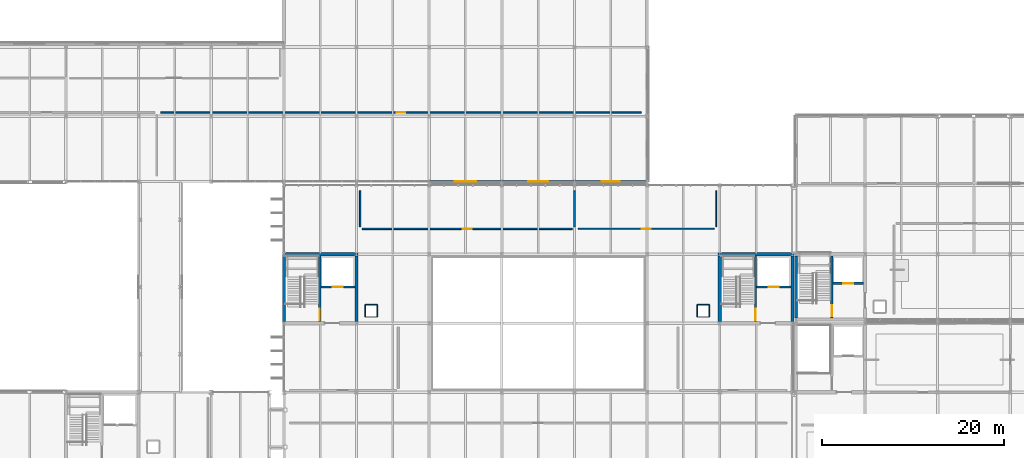
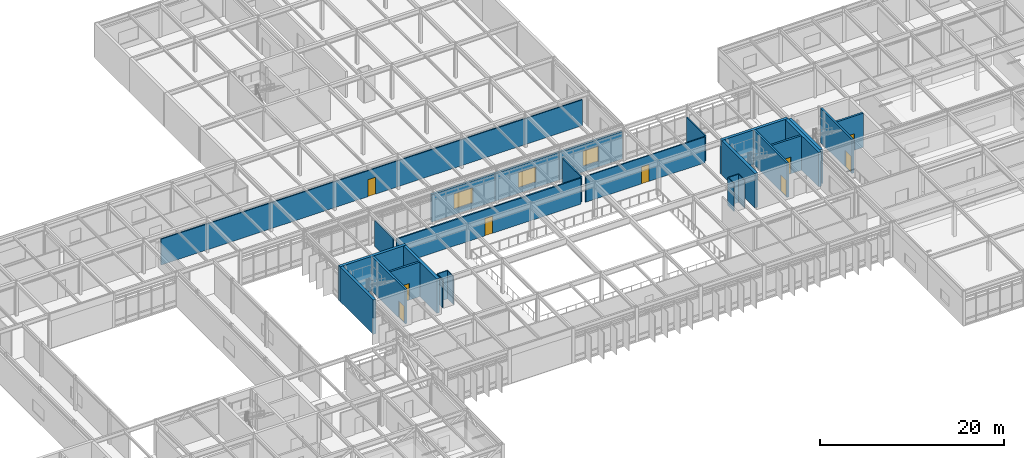
# One storey, part 85 of 104: 28 walls, 9 doors, 3 windows, 12 openings.
"""IFC4 building model written with IfcOpenShell, lengths in metres."""

from ifc_helpers import new_model, si_unit, direction, frame, frame_2d, origin, place, context, subcontext, project, spatial, rectangle, extrude, material, layer, layer_set, type_object, element, fill, save


model = new_model("IFC4")

# Units and contexts
model_context = context("Model", 3, precision=1e-05, world=origin(), true_north=direction((0.0, 1.0)))
body_context = subcontext(model_context, "Body", "Model", "MODEL_VIEW")
ifc_project = project(units=[si_unit("LENGTHUNIT", "METRE"), si_unit("AREAUNIT", "SQUARE_METRE"), si_unit("VOLUMEUNIT", "CUBIC_METRE"), si_unit("PLANEANGLEUNIT", "RADIAN"), si_unit("MASSUNIT", "GRAM", prefix="KILO")], contexts=[model_context])

# Site, building, storey
site_placement = place(None, origin())
site = spatial("IfcSite", under=ifc_project, at=site_placement, CompositionType="ELEMENT")
building_placement = place(site_placement, origin())
building = spatial("IfcBuilding", under=site, at=building_placement, Name="Zulena Civic Courthouse", CompositionType="ELEMENT")
storey_placement = place(building_placement, frame((0.0, 0.0, 15.60009765625)))
storey = spatial("IfcBuildingStorey", under=building, at=storey_placement, Name="L03", CompositionType="ELEMENT", Elevation=15.60009765625)

# Wall, opening, door
ifc_material_1 = material(Name="Concrete C40/50", Category="concrete")
ifc_layer_1 = layer(ifc_material_1, 0.25)
ifc_layer_set_1 = layer_set([ifc_layer_1], Name="Concrete C40/50")
wall_type_1 = type_object("IfcWallType", Name="CoreShearWall_RC250", PredefinedType="SHEAR", material=ifc_layer_set_1)
wall_1_placement = place(storey_placement, frame((128.35009765625, 30.97509765625, 0.0), z_axis=(0.0, 0.0, 1.0), x_axis=(0.0, 1.0, 0.0)))
wall_1 = element("IfcWall", 1, at=wall_1_placement, inside=storey, type_object=wall_type_1, Name="cwall:K3A:L03:DIV", PredefinedType="SHEAR", context=body_context, shape_type="SweptSolid", body=[
    extrude(rectangle(XDim=6.849853515625, YDim=0.25, at=frame_2d((3.4248046875, 0.0))), origin(), (0.0, 0.0, 1.0), 4.544921875),
])
opening_1_placement = place(wall_1_placement, frame((0.179931640625, 0.0, 0.0)))
opening_1 = element("IfcOpeningElement", 2, at=opening_1_placement, cuts=wall_1, Name="Opening ID06", PredefinedType="OPENING", context=body_context, shape_type="SweptSolid", body=[
    extrude(rectangle(XDim=1.25, YDim=2.199951171875, at=frame_2d((0.625, 1.10009765625))), frame((0.0, 0.135009765625, 0.0), z_axis=(0.0, -1.0, 0.0), x_axis=(1.0, 0.0, 0.0)), (0.0, 0.0, 1.0), 0.27001953125),
])
ifc_material_2 = material(Name="Fire-rated galvanised steel ASTM A653 Grade 50", Category="steel")
door_type_1 = type_object("IfcDoorType", Name="IntDoor_Stair_1250x2200", OperationType="NOTDEFINED", PredefinedType="DOOR", material=ifc_material_2)
door_1_placement = place(opening_1_placement, origin())
door_1 = element("IfcDoor", 3, at=door_1_placement, inside=storey, type_object=door_type_1, Name="door:stair:K3A:L03", OperationType="SINGLE_SWING_RIGHT", OverallHeight=2.199951171875, OverallWidth=1.25, PredefinedType="DOOR", context=body_context, shape_type="SweptSolid", body=[
    extrude(rectangle(XDim=1.25, YDim=2.199951171875, at=frame_2d((0.625, 1.10009765625))), frame((0.0, 0.02490234375, 0.0), z_axis=(0.0, -1.0, 0.0), x_axis=(1.0, 0.0, 0.0)), (0.0, 0.0, 1.0), 0.050048828125),
])
fill(opening_1, door_1)

wall_2_placement = place(storey_placement, frame((128.47509765625, 34.800048828125, 0.0), z_axis=(0.0, 0.0, 1.0), x_axis=(1.0, 0.0, 0.0)))
wall_2 = element("IfcWall", 4, at=wall_2_placement, inside=storey, type_object=wall_type_1, Name="cwall:K3A:L03:SHF", PredefinedType="SHEAR", context=body_context, shape_type="SweptSolid", body=[
    extrude(rectangle(XDim=3.349853515625, YDim=0.25, at=frame_2d((1.6748046875, 0.0))), origin(), (0.0, 0.0, 1.0), 4.544921875),
])
opening_2_placement = place(wall_2_placement, frame((1.1201171875, 0.0, 0.0)))
opening_2 = element("IfcOpeningElement", 5, at=opening_2_placement, cuts=wall_2, Name="Opening LD02", PredefinedType="OPENING", context=body_context, shape_type="SweptSolid", body=[
    extrude(rectangle(XDim=1.10009765625, YDim=2.199951171875, at=frame_2d((0.550048828125, 1.10009765625))), frame((0.0, 0.135009765625, 0.0), z_axis=(0.0, -1.0, 0.0), x_axis=(1.0, 0.0, 0.0)), (0.0, 0.0, 1.0), 0.27001953125),
])
door_type_2 = type_object("IfcDoorType", Name="LiftLandingDoor_Pass_1100x2200", OperationType="SLIDING_TO_LEFT", PredefinedType="DOOR", material=ifc_material_2)
door_2_placement = place(opening_2_placement, origin())
door_2 = element("IfcDoor", 6, at=door_2_placement, inside=storey, type_object=door_type_2, Name="door:ld:PL-02:L03", OperationType="SLIDING_TO_LEFT", OverallHeight=2.199951171875, OverallWidth=1.10009765625, PredefinedType="DOOR", context=body_context, shape_type="SweptSolid", body=[
    extrude(rectangle(XDim=1.10009765625, YDim=2.199951171875, at=frame_2d((0.550048828125, 1.10009765625))), frame((0.0, 0.02490234375, 0.0), z_axis=(0.0, -1.0, 0.0), x_axis=(1.0, 0.0, 0.0)), (0.0, 0.0, 1.0), 0.050048828125),
])
fill(opening_2, door_2)

wall_3_placement = place(storey_placement, frame((71.949951171875, 30.574951171875, 0.0), z_axis=(0.0, 0.0, 1.0), x_axis=(0.0, 1.0, 0.0)))
wall_3 = element("IfcWall", 7, at=wall_3_placement, inside=storey, type_object=wall_type_1, Name="cwall:K4A:L03:DIV", PredefinedType="SHEAR", context=body_context, shape_type="SweptSolid", body=[
    extrude(rectangle(XDim=7.25, YDim=0.25, at=frame_2d((3.625, 0.0))), origin(), (0.0, 0.0, 1.0), 4.58984375),
])
opening_3_placement = place(wall_3_placement, frame((0.179931640625, 0.0, 0.0)))
opening_3 = element("IfcOpeningElement", 8, at=opening_3_placement, cuts=wall_3, Name="Opening ID06", PredefinedType="OPENING", context=body_context, shape_type="SweptSolid", body=[
    extrude(rectangle(XDim=1.25, YDim=2.199951171875, at=frame_2d((0.625, 1.10009765625))), frame((0.0, 0.135009765625, 0.0), z_axis=(0.0, -1.0, 0.0), x_axis=(1.0, 0.0, 0.0)), (0.0, 0.0, 1.0), 0.27001953125),
])
door_3_placement = place(opening_3_placement, origin())
door_3 = element("IfcDoor", 9, at=door_3_placement, inside=storey, type_object=door_type_1, Name="door:stair:K4A:L03", OperationType="SINGLE_SWING_RIGHT", OverallHeight=2.199951171875, OverallWidth=1.25, PredefinedType="DOOR", context=body_context, shape_type="SweptSolid", body=[
    extrude(rectangle(XDim=1.25, YDim=2.199951171875, at=frame_2d((0.625, 1.10009765625))), frame((0.0, 0.02490234375, 0.0), z_axis=(0.0, -1.0, 0.0), x_axis=(1.0, 0.0, 0.0)), (0.0, 0.0, 1.0), 0.050048828125),
])
fill(opening_3, door_3)

wall_4_placement = place(storey_placement, frame((72.074951171875, 34.39990234375, 0.0), z_axis=(0.0, 0.0, 1.0), x_axis=(1.0, 0.0, 0.0)))
wall_4 = element("IfcWall", 10, at=wall_4_placement, inside=storey, type_object=wall_type_1, Name="cwall:K4A:L03:SHF", PredefinedType="SHEAR", context=body_context, shape_type="SweptSolid", body=[
    extrude(rectangle(XDim=3.75, YDim=0.25, at=frame_2d((1.875, 0.0))), origin(), (0.0, 0.0, 1.0), 4.58984375),
])
opening_4_placement = place(wall_4_placement, frame((1.320068359375, 0.0, 0.0)))
opening_4 = element("IfcOpeningElement", 11, at=opening_4_placement, cuts=wall_4, Name="Opening LD02", PredefinedType="OPENING", context=body_context, shape_type="SweptSolid", body=[
    extrude(rectangle(XDim=1.10009765625, YDim=2.199951171875, at=frame_2d((0.550048828125, 1.10009765625))), frame((0.0, 0.135009765625, 0.0), z_axis=(0.0, -1.0, 0.0), x_axis=(1.0, 0.0, 0.0)), (0.0, 0.0, 1.0), 0.27001953125),
])
door_4_placement = place(opening_4_placement, origin())
door_4 = element("IfcDoor", 12, at=door_4_placement, inside=storey, type_object=door_type_2, Name="door:ld:PL-03:L03", OperationType="SLIDING_TO_LEFT", OverallHeight=2.199951171875, OverallWidth=1.10009765625, PredefinedType="DOOR", context=body_context, shape_type="SweptSolid", body=[
    extrude(rectangle(XDim=1.10009765625, YDim=2.199951171875, at=frame_2d((0.550048828125, 1.10009765625))), frame((0.0, 0.02490234375, 0.0), z_axis=(0.0, -1.0, 0.0), x_axis=(1.0, 0.0, 0.0)), (0.0, 0.0, 1.0), 0.050048828125),
])
fill(opening_4, door_4)

wall_5_placement = place(storey_placement, frame((119.949951171875, 30.574951171875, 0.0), z_axis=(0.0, 0.0, 1.0), x_axis=(0.0, 1.0, 0.0)))
wall_5 = element("IfcWall", 13, at=wall_5_placement, inside=storey, type_object=wall_type_1, Name="cwall:K4B:L03:DIV", PredefinedType="SHEAR", context=body_context, shape_type="SweptSolid", body=[
    extrude(rectangle(XDim=7.25, YDim=0.25, at=frame_2d((3.625, 0.0))), origin(), (0.0, 0.0, 1.0), 4.58984375),
])
opening_5_placement = place(wall_5_placement, frame((0.179931640625, 0.0, 0.0)))
opening_5 = element("IfcOpeningElement", 14, at=opening_5_placement, cuts=wall_5, Name="Opening ID06", PredefinedType="OPENING", context=body_context, shape_type="SweptSolid", body=[
    extrude(rectangle(XDim=1.25, YDim=2.199951171875, at=frame_2d((0.625, 1.10009765625))), frame((0.0, 0.135009765625, 0.0), z_axis=(0.0, -1.0, 0.0), x_axis=(1.0, 0.0, 0.0)), (0.0, 0.0, 1.0), 0.27001953125),
])
door_5_placement = place(opening_5_placement, origin())
door_5 = element("IfcDoor", 15, at=door_5_placement, inside=storey, type_object=door_type_1, Name="door:stair:K4B:L03", OperationType="SINGLE_SWING_LEFT", OverallHeight=2.199951171875, OverallWidth=1.25, PredefinedType="DOOR", context=body_context, shape_type="SweptSolid", body=[
    extrude(rectangle(XDim=1.25, YDim=2.199951171875, at=frame_2d((0.625, 1.10009765625))), frame((0.0, 0.02490234375, 0.0), z_axis=(0.0, -1.0, 0.0), x_axis=(1.0, 0.0, 0.0)), (0.0, 0.0, 1.0), 0.050048828125),
])
fill(opening_5, door_5)

wall_6_placement = place(storey_placement, frame((120.074951171875, 34.39990234375, 0.0), z_axis=(0.0, 0.0, 1.0), x_axis=(1.0, 0.0, 0.0)))
wall_6 = element("IfcWall", 16, at=wall_6_placement, inside=storey, type_object=wall_type_1, Name="cwall:K4B:L03:SHF", PredefinedType="SHEAR", context=body_context, shape_type="SweptSolid", body=[
    extrude(rectangle(XDim=3.75, YDim=0.25, at=frame_2d((1.875, 0.0))), origin(), (0.0, 0.0, 1.0), 4.58984375),
])
opening_6_placement = place(wall_6_placement, frame((1.320068359375, 0.0, 0.0)))
opening_6 = element("IfcOpeningElement", 17, at=opening_6_placement, cuts=wall_6, Name="Opening LD02", PredefinedType="OPENING", context=body_context, shape_type="SweptSolid", body=[
    extrude(rectangle(XDim=1.10009765625, YDim=2.199951171875, at=frame_2d((0.550048828125, 1.10009765625))), frame((0.0, 0.135009765625, 0.0), z_axis=(0.0, -1.0, 0.0), x_axis=(1.0, 0.0, 0.0)), (0.0, 0.0, 1.0), 0.27001953125),
])
door_6_placement = place(opening_6_placement, origin())
door_6 = element("IfcDoor", 18, at=door_6_placement, inside=storey, type_object=door_type_2, Name="door:ld:PL-04:L03", OperationType="SLIDING_TO_LEFT", OverallHeight=2.199951171875, OverallWidth=1.10009765625, PredefinedType="DOOR", context=body_context, shape_type="SweptSolid", body=[
    extrude(rectangle(XDim=1.10009765625, YDim=2.199951171875, at=frame_2d((0.550048828125, 1.10009765625))), frame((0.0, 0.02490234375, 0.0), z_axis=(0.0, -1.0, 0.0), x_axis=(1.0, 0.0, 0.0)), (0.0, 0.0, 1.0), 0.050048828125),
])
fill(opening_6, door_6)

# Walls
ifc_layer_2 = layer(ifc_material_1, 0.35009765625)
ifc_layer_set_2 = layer_set([ifc_layer_2], Name="Concrete C40/50")
wall_type_2 = type_object("IfcWallType", Name="CoreShearWall_RC350", PredefinedType="SHEAR", material=ifc_layer_set_2)
wall_7_placement = place(storey_placement, frame((124.39990234375, 30.97509765625, 0.0), z_axis=(0.0, 0.0, 1.0), x_axis=(0.0, 1.0, 0.0)))
element("IfcWall", 19, at=wall_7_placement, inside=storey, type_object=wall_type_2, Name="cwall:K3A:L03:W", PredefinedType="SHEAR", context=body_context, shape_type="SweptSolid", body=[
    extrude(rectangle(XDim=6.849853515625, YDim=0.35009765625, at=frame_2d((3.4248046875, 0.0))), origin(), (0.0, 0.0, 1.0), 4.544921875),
])
wall_8_placement = place(storey_placement, frame((67.824951171875, 38.0, 0.0), z_axis=(0.0, 0.0, 1.0), x_axis=(1.0, 0.0, 0.0)))
element("IfcWall", 20, at=wall_8_placement, inside=storey, type_object=wall_type_2, Name="cwall:K4A:L03:N", PredefinedType="SHEAR", context=body_context, shape_type="SweptSolid", body=[
    extrude(rectangle(XDim=8.35009765625, YDim=0.35009765625, at=frame_2d((4.175048828125, 0.0))), origin(), (0.0, 0.0, 1.0), 4.58984375),
])
for number, where, z_axis, x_axis, name in (
    (21, (68.0, 30.574951171875, 0.0), (0.0, 0.0, 1.0), (0.0, 1.0, 0.0), "cwall:K4A:L03:W"),
    (22, (76.0, 30.574951171875, 0.0), (0.0, 0.0, 1.0), (0.0, 1.0, 0.0), "cwall:K4A:L03:E"),
):
    element("IfcWall", number, at=place(storey_placement, frame(where, z_axis=z_axis, x_axis=x_axis)), inside=storey, type_object=wall_type_2, Name=name, PredefinedType="SHEAR", context=body_context, shape_type="SweptSolid", body=[
        extrude(rectangle(XDim=7.25, YDim=0.35009765625, at=frame_2d((3.625, 0.0))), origin(), (0.0, 0.0, 1.0), 4.58984375),
    ])
wall_9_placement = place(storey_placement, frame((115.824951171875, 38.0, 0.0), z_axis=(0.0, 0.0, 1.0), x_axis=(1.0, 0.0, 0.0)))
element("IfcWall", 23, at=wall_9_placement, inside=storey, type_object=wall_type_2, Name="cwall:K4B:L03:N", PredefinedType="SHEAR", context=body_context, shape_type="SweptSolid", body=[
    extrude(rectangle(XDim=8.35009765625, YDim=0.35009765625, at=frame_2d((4.175048828125, 0.0))), origin(), (0.0, 0.0, 1.0), 4.58984375),
])
for number, where, z_axis, x_axis, name in (
    (24, (116.0, 30.574951171875, 0.0), (0.0, 0.0, 1.0), (0.0, 1.0, 0.0), "cwall:K4B:L03:W"),
    (25, (124.0, 30.574951171875, 0.0), (0.0, 0.0, 1.0), (0.0, 1.0, 0.0), "cwall:K4B:L03:E"),
):
    element("IfcWall", number, at=place(storey_placement, frame(where, z_axis=z_axis, x_axis=x_axis)), inside=storey, type_object=wall_type_2, Name=name, PredefinedType="SHEAR", context=body_context, shape_type="SweptSolid", body=[
        extrude(rectangle(XDim=7.25, YDim=0.35009765625, at=frame_2d((3.625, 0.0))), origin(), (0.0, 0.0, 1.0), 4.58984375),
    ])

# Wall, opening, window
ifc_material_3 = material(Name="Buff architectural precast concrete C40/50", Category="concrete")
ifc_layer_3 = layer(ifc_material_3, 0.264892578125)
ifc_layer_set_3 = layer_set([ifc_layer_3], Name="Buff architectural precast concrete C40/50")
wall_type_3 = type_object("IfcWallType", Name="ExtWall_BuffPrecast_265", PredefinedType="STANDARD", material=ifc_layer_set_3)
wall_10_placement = place(storey_placement, frame((108.02001953125, 46.0, 0.0), z_axis=(0.0, 0.0, 1.0), x_axis=(-1.0, 0.0, 0.0)))
wall_10 = element("IfcWall", 26, at=wall_10_placement, inside=storey, type_object=wall_type_3, Name="ewall:V5:L03:5:0", PredefinedType="STANDARD", context=body_context, shape_type="SweptSolid", body=[
    extrude(rectangle(XDim=8.0400390625, YDim=0.264892578125, at=frame_2d((4.02001953125, 0.0))), origin(), (0.0, 0.0, 1.0), 3.659912109375),
])
opening_7_placement = place(wall_10_placement, frame((3.02001953125, 0.0, 0.75)))
opening_7 = element("IfcOpeningElement", 27, at=opening_7_placement, cuts=wall_10, Name="Opening WN04", PredefinedType="OPENING", context=body_context, shape_type="SweptSolid", body=[
    extrude(rectangle(XDim=2.0, YDim=2.0, at=frame_2d((1.0, 1.0))), frame((0.0, 0.142333984375, 0.0), z_axis=(0.0, -1.0, 0.0), x_axis=(1.0, 0.0, 0.0)), (0.0, 0.0, 1.0), 0.284912109375),
])
ifc_material_4 = material(Name="Double-silver low-E laminated solar-control glass", Category="glass")
window_type_1 = type_object("IfcWindowType", Name="Win_2000x2000", PartitioningType="DOUBLE_PANEL_VERTICAL", PredefinedType="WINDOW", material=ifc_material_4)
window_1_placement = place(opening_7_placement, origin())
window_1 = element("IfcWindow", 28, at=window_1_placement, inside=storey, type_object=window_type_1, Name="win:V5:L03:5:0", OverallHeight=2.0, OverallWidth=2.0, PartitioningType="SINGLE_PANEL", PredefinedType="WINDOW", context=body_context, shape_type="SweptSolid", body=[
    extrude(rectangle(XDim=2.0, YDim=2.0, at=frame_2d((1.0, 1.0))), frame((0.0, 0.030029296875, 0.0), z_axis=(0.0, -1.0, 0.0), x_axis=(1.0, 0.0, 0.0)), (0.0, 0.0, 1.0), 0.06005859375),
])
fill(opening_7, window_1)

wall_11_placement = place(storey_placement, frame((100.02001953125, 46.0, 0.0), z_axis=(0.0, 0.0, 1.0), x_axis=(-1.0, 0.0, 0.0)))
wall_11 = element("IfcWall", 29, at=wall_11_placement, inside=storey, type_object=wall_type_3, Name="ewall:V5:L03:5:1", PredefinedType="STANDARD", context=body_context, shape_type="SweptSolid", body=[
    extrude(rectangle(XDim=8.0400390625, YDim=0.264892578125, at=frame_2d((4.02001953125, 0.0))), origin(), (0.0, 0.0, 1.0), 3.659912109375),
])
opening_8_placement = place(wall_11_placement, frame((2.919921875, 0.0, 0.75)))
opening_8 = element("IfcOpeningElement", 30, at=opening_8_placement, cuts=wall_11, Name="Opening WN05", PredefinedType="OPENING", context=body_context, shape_type="SweptSolid", body=[
    extrude(rectangle(XDim=2.199951171875, YDim=2.0, at=frame_2d((1.10009765625, 1.0))), frame((0.0, 0.142333984375, 0.0), z_axis=(0.0, -1.0, 0.0), x_axis=(1.0, 0.0, 0.0)), (0.0, 0.0, 1.0), 0.284912109375),
])
window_type_2 = type_object("IfcWindowType", Name="Win_2200x2000", PartitioningType="DOUBLE_PANEL_VERTICAL", PredefinedType="WINDOW", material=ifc_material_4)
window_2_placement = place(opening_8_placement, origin())
window_2 = element("IfcWindow", 31, at=window_2_placement, inside=storey, type_object=window_type_2, Name="win:V5:L03:5:1", OverallHeight=2.0, OverallWidth=2.199951171875, PartitioningType="SINGLE_PANEL", PredefinedType="WINDOW", context=body_context, shape_type="SweptSolid", body=[
    extrude(rectangle(XDim=2.199951171875, YDim=2.0, at=frame_2d((1.10009765625, 1.0))), frame((0.0, 0.030029296875, 0.0), z_axis=(0.0, -1.0, 0.0), x_axis=(1.0, 0.0, 0.0)), (0.0, 0.0, 1.0), 0.06005859375),
])
fill(opening_8, window_2)

wall_12_placement = place(storey_placement, frame((92.02001953125, 46.0, 0.0), z_axis=(0.0, 0.0, 1.0), x_axis=(-1.0, 0.0, 0.0)))
wall_12 = element("IfcWall", 32, at=wall_12_placement, inside=storey, type_object=wall_type_3, Name="ewall:V5:L03:5:2", PredefinedType="STANDARD", context=body_context, shape_type="SweptSolid", body=[
    extrude(rectangle(XDim=8.0400390625, YDim=0.264892578125, at=frame_2d((4.02001953125, 0.0))), origin(), (0.0, 0.0, 1.0), 3.659912109375),
])
opening_9_placement = place(wall_12_placement, frame((2.820068359375, 0.0, 0.75)))
opening_9 = element("IfcOpeningElement", 33, at=opening_9_placement, cuts=wall_12, Name="Opening WN06", PredefinedType="OPENING", context=body_context, shape_type="SweptSolid", body=[
    extrude(rectangle(XDim=2.39990234375, YDim=2.0, at=frame_2d((1.199951171875, 1.0))), frame((0.0, 0.142333984375, 0.0), z_axis=(0.0, -1.0, 0.0), x_axis=(1.0, 0.0, 0.0)), (0.0, 0.0, 1.0), 0.284912109375),
])
window_type_3 = type_object("IfcWindowType", Name="Win_2400x2000", PartitioningType="DOUBLE_PANEL_VERTICAL", PredefinedType="WINDOW", material=ifc_material_4)
window_3_placement = place(opening_9_placement, origin())
window_3 = element("IfcWindow", 34, at=window_3_placement, inside=storey, type_object=window_type_3, Name="win:V5:L03:5:2", OverallHeight=2.0, OverallWidth=2.39990234375, PartitioningType="SINGLE_PANEL", PredefinedType="WINDOW", context=body_context, shape_type="SweptSolid", body=[
    extrude(rectangle(XDim=2.39990234375, YDim=2.0, at=frame_2d((1.199951171875, 1.0))), frame((0.0, 0.030029296875, 0.0), z_axis=(0.0, -1.0, 0.0), x_axis=(1.0, 0.0, 0.0)), (0.0, 0.0, 1.0), 0.06005859375),
])
fill(opening_9, window_3)

# Wall, opening, door
ifc_material_5 = material(Name="Acoustic fire-rated gypsum board assembly", Category="masonry")
ifc_layer_4 = layer(ifc_material_5, 0.14599609375)
ifc_layer_set_4 = layer_set([ifc_layer_4], Name="Acoustic fire-rated gypsum board assembly")
wall_type_4 = type_object("IfcWallType", Name="PartWall_Chambers_146", PredefinedType="PARTITIONING", material=ifc_layer_set_4)
wall_13_placement = place(storey_placement, frame((54.419921875, 53.60009765625, 0.0), z_axis=(0.0, 0.0, 1.0), x_axis=(1.0, 0.0, 0.0)))
wall_13 = element("IfcWall", 35, at=wall_13_placement, inside=storey, type_object=wall_type_4, Name="pwall:L03:398:0", PredefinedType="PARTITIONING", context=body_context, shape_type="SweptSolid", body=[
    extrude(rectangle(XDim=52.9599609375, YDim=0.14599609375, at=frame_2d((26.47998046875, 0.0))), origin(), (0.0, 0.0, 1.0), 3.449951171875),
])
opening_10_placement = place(wall_13_placement, frame((26.0, 0.0, 0.0)))
opening_10 = element("IfcOpeningElement", 36, at=opening_10_placement, cuts=wall_13, Name="Opening ID14", PredefinedType="OPENING", context=body_context, shape_type="SweptSolid", body=[
    extrude(rectangle(XDim=0.9599609375, YDim=2.25, at=frame_2d((0.47998046875, 1.125))), frame((0.0, 0.0830078125, 0.0), z_axis=(0.0, -1.0, 0.0), x_axis=(1.0, 0.0, 0.0)), (0.0, 0.0, 1.0), 0.166015625),
])
ifc_material_6 = material(Name="Solid-core acoustic hardwood timber", Category="wood")
door_type_3 = type_object("IfcDoorType", Name="IntDoor_Chambers_960x2250", OperationType="NOTDEFINED", PredefinedType="DOOR", material=ifc_material_6)
door_7_placement = place(opening_10_placement, origin())
door_7 = element("IfcDoor", 37, at=door_7_placement, inside=storey, type_object=door_type_3, Name="door:rm:L03:398", OperationType="SINGLE_SWING_RIGHT", OverallHeight=2.25, OverallWidth=0.9599609375, PredefinedType="DOOR", context=body_context, shape_type="SweptSolid", body=[
    extrude(rectangle(XDim=0.9599609375, YDim=2.25, at=frame_2d((0.47998046875, 1.125))), frame((0.0, 0.02490234375, 0.0), z_axis=(0.0, -1.0, 0.0), x_axis=(1.0, 0.0, 0.0)), (0.0, 0.0, 1.0), 0.050048828125),
])
fill(opening_10, door_7)

ifc_layer_5 = layer(ifc_material_5, 0.177978515625)
ifc_layer_set_5 = layer_set([ifc_layer_5], Name="Acoustic fire-rated gypsum board assembly")
wall_type_5 = type_object("IfcWallType", Name="PartWall_Corridor_178", PredefinedType="PARTITIONING", material=ifc_layer_set_5)
wall_14_placement = place(storey_placement, frame((76.6201171875, 40.800048828125, 0.0), z_axis=(0.0, 0.0, 1.0), x_axis=(1.0, 0.0, 0.0)))
wall_14 = element("IfcWall", 38, at=wall_14_placement, inside=storey, type_object=wall_type_5, Name="pwall:L03:252:0", PredefinedType="PARTITIONING", context=body_context, shape_type="SweptSolid", body=[
    extrude(rectangle(XDim=23.159912109375, YDim=0.177978515625, at=frame_2d((11.580078125, 0.0))), origin(), (0.0, 0.0, 1.0), 3.449951171875),
])
opening_11_placement = place(wall_14_placement, frame((11.080078125, 0.0, 0.0)))
opening_11 = element("IfcOpeningElement", 39, at=opening_11_placement, cuts=wall_14, Name="Opening ID13", PredefinedType="OPENING", context=body_context, shape_type="SweptSolid", body=[
    extrude(rectangle(XDim=1.0, YDim=2.300048828125, at=frame_2d((0.5, 1.14990234375))), frame((0.0, 0.098876953125, 0.0), z_axis=(0.0, -1.0, 0.0), x_axis=(1.0, 0.0, 0.0)), (0.0, 0.0, 1.0), 0.197998046875),
])
door_type_4 = type_object("IfcDoorType", Name="IntDoor_Chambers_1000x2300", OperationType="NOTDEFINED", PredefinedType="DOOR", material=ifc_material_6)
door_8_placement = place(opening_11_placement, origin())
door_8 = element("IfcDoor", 40, at=door_8_placement, inside=storey, type_object=door_type_4, Name="door:rm:L03:252", OperationType="SINGLE_SWING_LEFT", OverallHeight=2.300048828125, OverallWidth=1.0, PredefinedType="DOOR", context=body_context, shape_type="SweptSolid", body=[
    extrude(rectangle(XDim=1.0, YDim=2.300048828125, at=frame_2d((0.5, 1.14990234375))), frame((0.0, 0.02490234375, 0.0), z_axis=(0.0, -1.0, 0.0), x_axis=(1.0, 0.0, 0.0)), (0.0, 0.0, 1.0), 0.050048828125),
])
fill(opening_11, door_8)

# Walls
for number, where, z_axis, x_axis, name in (
    (41, (100.0, 41.02001953125, 0.0), (0.0, 0.0, 1.0), (0.0, 1.0, 0.0), "pwall:L03:252:1"),
    (42, (76.39990234375, 41.02001953125, 0.0), (0.0, 0.0, 1.0), (0.0, 1.0, 0.0), "pwall:L03:252:2"),
):
    element("IfcWall", number, at=place(storey_placement, frame(where, z_axis=z_axis, x_axis=x_axis)), inside=storey, type_object=wall_type_5, Name=name, PredefinedType="PARTITIONING", context=body_context, shape_type="SweptSolid", body=[
        extrude(rectangle(XDim=3.9599609375, YDim=0.177978515625, at=frame_2d((1.97998046875, 0.0))), origin(), (0.0, 0.0, 1.0), 3.449951171875),
    ])
ifc_material_7 = material(Name="Insulated blockwork masonry ASTM C90", Category="masonry")
ifc_layer_6 = layer(ifc_material_7, 0.114990234375)
ifc_layer_set_6 = layer_set([ifc_layer_6], Name="Insulated blockwork masonry ASTM C90")
wall_type_6 = type_object("IfcWallType", Name="PartWall_Riser_115", PredefinedType="PARTITIONING", material=ifc_layer_set_6)
for number, where, z_axis, x_axis, name in (
    (43, (78.260009765625, 31.139892578125, 0.0), (0.0, 0.0, 1.0), (0.0, 1.0, 0.0), "riser:RS-V4W:L03:1"),
    (44, (78.260009765625, 32.4599609375, 0.0), (0.0, 0.0, 1.0), (-1.0, 0.0, 0.0), "riser:RS-V4W:L03:2"),
    (45, (76.93994140625, 32.4599609375, 0.0), (0.0, 0.0, 1.0), (0.0, -1.0, 0.0), "riser:RS-V4W:L03:3"),
    (46, (114.860107421875, 31.139892578125, 0.0), (0.0, 0.0, 1.0), (0.0, 1.0, 0.0), "riser:RS-V4E:L03:1"),
    (47, (114.860107421875, 32.4599609375, 0.0), (0.0, 0.0, 1.0), (-1.0, 0.0, 0.0), "riser:RS-V4E:L03:2"),
    (48, (113.5400390625, 32.4599609375, 0.0), (0.0, 0.0, 1.0), (0.0, -1.0, 0.0), "riser:RS-V4E:L03:3"),
):
    element("IfcWall", number, at=place(storey_placement, frame(where, z_axis=z_axis, x_axis=x_axis)), inside=storey, type_object=wall_type_6, Name=name, PredefinedType="PARTITIONING", context=body_context, shape_type="SweptSolid", body=[
        extrude(rectangle(XDim=1.320068359375, YDim=0.114990234375, at=frame_2d((0.66015625, 0.0))), origin(), (0.0, 0.0, 1.0), 3.75),
    ])

# Wall, opening, door
ifc_layer_7 = layer(ifc_material_7, 0.1279296875)
ifc_layer_set_7 = layer_set([ifc_layer_7], Name="Insulated blockwork masonry ASTM C90")
wall_type_7 = type_object("IfcWallType", Name="PartWall_WetRoom_128", PredefinedType="PARTITIONING", material=ifc_layer_set_7)
wall_15_placement = place(storey_placement, frame((100.419921875, 40.800048828125, 0.0), z_axis=(0.0, 0.0, 1.0), x_axis=(1.0, 0.0, 0.0)))
wall_15 = element("IfcWall", 49, at=wall_15_placement, inside=storey, type_object=wall_type_7, Name="pwall:L03:253:0", PredefinedType="PARTITIONING", context=body_context, shape_type="SweptSolid", body=[
    extrude(rectangle(XDim=14.9599609375, YDim=0.1279296875, at=frame_2d((7.47998046875, 0.0))), origin(), (0.0, 0.0, 1.0), 3.449951171875),
])
opening_12_placement = place(wall_15_placement, frame((7.0, 0.0, 0.0)))
opening_12 = element("IfcOpeningElement", 50, at=opening_12_placement, cuts=wall_15, Name="Opening ID14", PredefinedType="OPENING", context=body_context, shape_type="SweptSolid", body=[
    extrude(rectangle(XDim=0.9599609375, YDim=2.25, at=frame_2d((0.47998046875, 1.125))), frame((0.0, 0.073974609375, 0.0), z_axis=(0.0, -1.0, 0.0), x_axis=(1.0, 0.0, 0.0)), (0.0, 0.0, 1.0), 0.14794921875),
])
door_9_placement = place(opening_12_placement, origin())
door_9 = element("IfcDoor", 51, at=door_9_placement, inside=storey, type_object=door_type_3, Name="door:rm:L03:253", OperationType="SINGLE_SWING_RIGHT", OverallHeight=2.25, OverallWidth=0.9599609375, PredefinedType="DOOR", context=body_context, shape_type="SweptSolid", body=[
    extrude(rectangle(XDim=0.9599609375, YDim=2.25, at=frame_2d((0.47998046875, 1.125))), frame((0.0, 0.02490234375, 0.0), z_axis=(0.0, -1.0, 0.0), x_axis=(1.0, 0.0, 0.0)), (0.0, 0.0, 1.0), 0.050048828125),
])
fill(opening_12, door_9)

# Wall
wall_16_placement = place(storey_placement, frame((115.60009765625, 41.02001953125, 0.0), z_axis=(0.0, 0.0, 1.0), x_axis=(0.0, 1.0, 0.0)))
element("IfcWall", 52, at=wall_16_placement, inside=storey, type_object=wall_type_7, Name="pwall:L03:253:1", PredefinedType="PARTITIONING", context=body_context, shape_type="SweptSolid", body=[
    extrude(rectangle(XDim=3.9599609375, YDim=0.1279296875, at=frame_2d((1.97998046875, 0.0))), origin(), (0.0, 0.0, 1.0), 3.449951171875),
])

save(model, "model.ifc")
